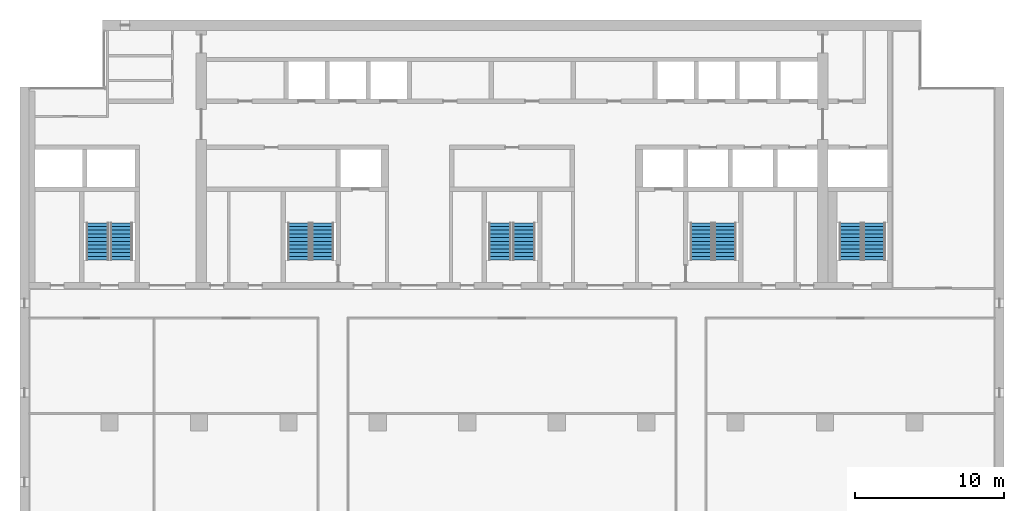
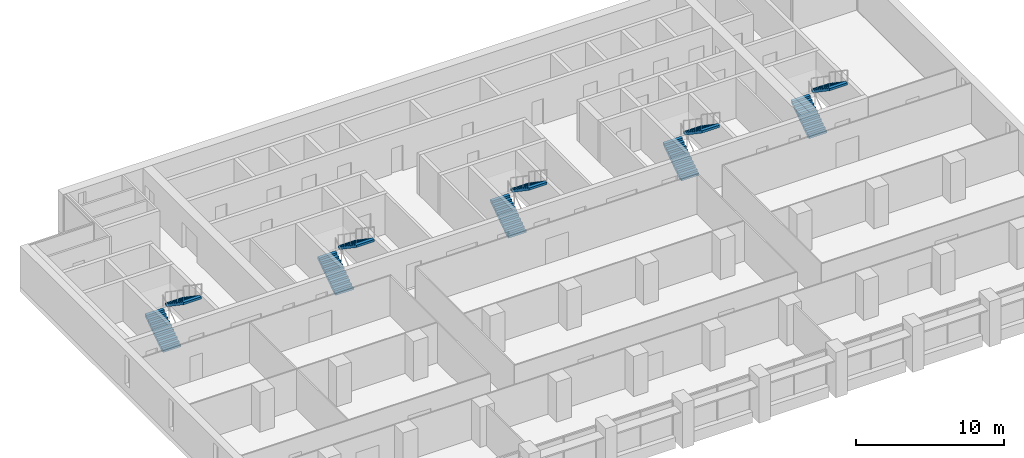
# One storey, part 13 of 16: 10 stair flights, 5 elements without a shape of their own.
"""IFC4 building model written with IfcOpenShell, lengths in metres."""

from ifc_helpers import new_model, si_unit, direction, frame, origin, place, context, subcontext, project, spatial, polyline, outline, extrude, material, type_object, element, aggregate, save


model = new_model("IFC4")

# Units and contexts
model_context = context("Model", 3, precision=1e-05, world=origin(), true_north=direction((0.0, 1.0)))
body_context = subcontext(model_context, "Body", "Model", "MODEL_VIEW")
ifc_project = project(units=[si_unit("LENGTHUNIT", "METRE"), si_unit("AREAUNIT", "SQUARE_METRE"), si_unit("VOLUMEUNIT", "CUBIC_METRE"), si_unit("PLANEANGLEUNIT", "RADIAN"), si_unit("MASSUNIT", "GRAM", prefix="KILO")], contexts=[model_context])

# Site, building, storey
site_placement = place(None, origin())
site = spatial("IfcSite", under=ifc_project, at=site_placement, CompositionType="ELEMENT")
building_placement = place(site_placement, origin())
building = spatial("IfcBuilding", under=site, at=building_placement, Name="Calvaro Tower", CompositionType="ELEMENT")
storey_placement = place(building_placement, frame((0.0, 0.0, 178.0)))
storey = spatial("IfcBuildingStorey", under=building, at=storey_placement, Name="L44", CompositionType="ELEMENT", Elevation=178.0)

# Stair, stair flights
ifc_material_1 = material(Name="Concrete C40/50", Category="concrete")
stair_type = type_object("IfcStairType", Name="Exit stair 1400 2 flights", PredefinedType="HALF_TURN_STAIR", material=ifc_material_1)
stair_1_placement = place(storey_placement, origin())
stair_1 = element("IfcStair", 1, at=stair_1_placement, inside=storey, type_object=stair_type, Name="Exit stair S1", PredefinedType="HALF_TURN_STAIR")
ifc_material_2 = material(Name="Concrete C40/50", Category="concrete")
stair_flight_type = type_object("IfcStairFlightType", Name="Stair flight", PredefinedType="STRAIGHT", material=ifc_material_2)
stair_flight_1_placement = place(storey_placement, frame((11.199951171875, 29.89990234375, 0.0), z_axis=(0.0, 0.0, 1.0), x_axis=(0.0, 1.0, 0.0)))
stair_flight_1 = element("IfcStairFlight", 2, at=stair_flight_1_placement, type_object=stair_flight_type, Name="Exit stair 1, flight 1", NumberOfRisers=11, NumberOfTreads=10, PredefinedType="STRAIGHT", RiserHeight=0.170454545, TreadLength=0.25, context=body_context, shape_type="SweptSolid", body=[
    extrude(outline(polyline([(0.0, 0.0), (0.0, 0.17041015625), (0.25, 0.17041015625), (0.25, 0.3408203125), (0.5, 0.3408203125), (0.5, 0.511474609375), (0.75, 0.511474609375), (0.75, 0.681884765625), (1.0, 0.681884765625), (1.0, 0.852294921875), (1.25, 0.852294921875), (1.25, 1.022705078125), (1.5, 1.022705078125), (1.5, 1.193115234375), (1.75, 1.193115234375), (1.75, 1.363525390625), (2.0, 1.363525390625), (2.0, 1.5341796875), (2.25, 1.5341796875), (2.25, 1.70458984375), (2.5, 1.70458984375), (2.5, 1.875), (2.5, 1.523193359375), (0.26611328125, 0.0), (0.0, 0.0)])), frame((0.0, 0.699951171875, 0.0), z_axis=(0.0, -1.0, 0.0), x_axis=(1.0, 0.0, 0.0)), (0.0, 0.0, 1.0), 1.39990234375),
])
stair_flight_2_placement = place(storey_placement, frame((12.800048828125, 32.39990234375, 1.875), z_axis=(0.0, 0.0, 1.0), x_axis=(0.0, -1.0, 0.0)))
stair_flight_2 = element("IfcStairFlight", 3, at=stair_flight_2_placement, type_object=stair_flight_type, Name="Exit stair 1, flight 2", NumberOfRisers=11, NumberOfTreads=10, PredefinedType="STRAIGHT", RiserHeight=0.170454545, TreadLength=0.25, context=body_context, shape_type="SweptSolid", body=[
    extrude(outline(polyline([(0.0, 0.0), (0.0, 0.17041015625), (0.25, 0.17041015625), (0.25, 0.3408203125), (0.5, 0.3408203125), (0.5, 0.511474609375), (0.75, 0.511474609375), (0.75, 0.681884765625), (1.0, 0.681884765625), (1.0, 0.852294921875), (1.25, 0.852294921875), (1.25, 1.022705078125), (1.5, 1.022705078125), (1.5, 1.193115234375), (1.75, 1.193115234375), (1.75, 1.363525390625), (2.0, 1.363525390625), (2.0, 1.5341796875), (2.25, 1.5341796875), (2.25, 1.70458984375), (2.5, 1.70458984375), (2.5, 1.875), (2.5, 1.523193359375), (0.26611328125, 0.0), (0.0, 0.0)])), frame((0.0, 0.699951171875, 0.0), z_axis=(0.0, -1.0, 0.0), x_axis=(1.0, 0.0, 0.0)), (0.0, 0.0, 1.0), 1.39990234375),
])
aggregate(stair_1, [stair_flight_1, stair_flight_2])

stair_2_placement = place(storey_placement, origin())
stair_2 = element("IfcStair", 4, at=stair_2_placement, inside=storey, type_object=stair_type, Name="Exit stair S2", PredefinedType="HALF_TURN_STAIR")
stair_flight_3_placement = place(storey_placement, frame((24.699951171875, 29.89990234375, 0.0), z_axis=(0.0, 0.0, 1.0), x_axis=(0.0, 1.0, 0.0)))
stair_flight_3 = element("IfcStairFlight", 5, at=stair_flight_3_placement, type_object=stair_flight_type, Name="Exit stair 2, flight 1", NumberOfRisers=11, NumberOfTreads=10, PredefinedType="STRAIGHT", RiserHeight=0.170454545, TreadLength=0.25, context=body_context, shape_type="SweptSolid", body=[
    extrude(outline(polyline([(0.0, 0.0), (0.0, 0.17041015625), (0.25, 0.17041015625), (0.25, 0.3408203125), (0.5, 0.3408203125), (0.5, 0.511474609375), (0.75, 0.511474609375), (0.75, 0.681884765625), (1.0, 0.681884765625), (1.0, 0.852294921875), (1.25, 0.852294921875), (1.25, 1.022705078125), (1.5, 1.022705078125), (1.5, 1.193115234375), (1.75, 1.193115234375), (1.75, 1.363525390625), (2.0, 1.363525390625), (2.0, 1.5341796875), (2.25, 1.5341796875), (2.25, 1.70458984375), (2.5, 1.70458984375), (2.5, 1.875), (2.5, 1.523193359375), (0.26611328125, 0.0), (0.0, 0.0)])), frame((0.0, 0.699951171875, 0.0), z_axis=(0.0, -1.0, 0.0), x_axis=(1.0, 0.0, 0.0)), (0.0, 0.0, 1.0), 1.39990234375),
])
stair_flight_4_placement = place(storey_placement, frame((26.300048828125, 32.39990234375, 1.875), z_axis=(0.0, 0.0, 1.0), x_axis=(0.0, -1.0, 0.0)))
stair_flight_4 = element("IfcStairFlight", 6, at=stair_flight_4_placement, type_object=stair_flight_type, Name="Exit stair 2, flight 2", NumberOfRisers=11, NumberOfTreads=10, PredefinedType="STRAIGHT", RiserHeight=0.170454545, TreadLength=0.25, context=body_context, shape_type="SweptSolid", body=[
    extrude(outline(polyline([(0.0, 0.0), (0.0, 0.17041015625), (0.25, 0.17041015625), (0.25, 0.3408203125), (0.5, 0.3408203125), (0.5, 0.511474609375), (0.75, 0.511474609375), (0.75, 0.681884765625), (1.0, 0.681884765625), (1.0, 0.852294921875), (1.25, 0.852294921875), (1.25, 1.022705078125), (1.5, 1.022705078125), (1.5, 1.193115234375), (1.75, 1.193115234375), (1.75, 1.363525390625), (2.0, 1.363525390625), (2.0, 1.5341796875), (2.25, 1.5341796875), (2.25, 1.70458984375), (2.5, 1.70458984375), (2.5, 1.875), (2.5, 1.523193359375), (0.26611328125, 0.0), (0.0, 0.0)])), frame((0.0, 0.699951171875, 0.0), z_axis=(0.0, -1.0, 0.0), x_axis=(1.0, 0.0, 0.0)), (0.0, 0.0, 1.0), 1.39990234375),
])
aggregate(stair_2, [stair_flight_3, stair_flight_4])

stair_3_placement = place(storey_placement, origin())
stair_3 = element("IfcStair", 7, at=stair_3_placement, inside=storey, type_object=stair_type, Name="Exit stair S3", PredefinedType="HALF_TURN_STAIR")
stair_flight_5_placement = place(storey_placement, frame((38.199951171875, 29.89990234375, 0.0), z_axis=(0.0, 0.0, 1.0), x_axis=(0.0, 1.0, 0.0)))
stair_flight_5 = element("IfcStairFlight", 8, at=stair_flight_5_placement, type_object=stair_flight_type, Name="Exit stair 3, flight 1", NumberOfRisers=11, NumberOfTreads=10, PredefinedType="STRAIGHT", RiserHeight=0.170454545, TreadLength=0.25, context=body_context, shape_type="SweptSolid", body=[
    extrude(outline(polyline([(0.0, 0.0), (0.0, 0.17041015625), (0.25, 0.17041015625), (0.25, 0.3408203125), (0.5, 0.3408203125), (0.5, 0.511474609375), (0.75, 0.511474609375), (0.75, 0.681884765625), (1.0, 0.681884765625), (1.0, 0.852294921875), (1.25, 0.852294921875), (1.25, 1.022705078125), (1.5, 1.022705078125), (1.5, 1.193115234375), (1.75, 1.193115234375), (1.75, 1.363525390625), (2.0, 1.363525390625), (2.0, 1.5341796875), (2.25, 1.5341796875), (2.25, 1.70458984375), (2.5, 1.70458984375), (2.5, 1.875), (2.5, 1.523193359375), (0.26611328125, 0.0), (0.0, 0.0)])), frame((0.0, 0.699951171875, 0.0), z_axis=(0.0, -1.0, 0.0), x_axis=(1.0, 0.0, 0.0)), (0.0, 0.0, 1.0), 1.39990234375),
])
stair_flight_6_placement = place(storey_placement, frame((39.800048828125, 32.39990234375, 1.875), z_axis=(0.0, 0.0, 1.0), x_axis=(0.0, -1.0, 0.0)))
stair_flight_6 = element("IfcStairFlight", 9, at=stair_flight_6_placement, type_object=stair_flight_type, Name="Exit stair 3, flight 2", NumberOfRisers=11, NumberOfTreads=10, PredefinedType="STRAIGHT", RiserHeight=0.170454545, TreadLength=0.25, context=body_context, shape_type="SweptSolid", body=[
    extrude(outline(polyline([(0.0, 0.0), (0.0, 0.17041015625), (0.25, 0.17041015625), (0.25, 0.3408203125), (0.5, 0.3408203125), (0.5, 0.511474609375), (0.75, 0.511474609375), (0.75, 0.681884765625), (1.0, 0.681884765625), (1.0, 0.852294921875), (1.25, 0.852294921875), (1.25, 1.022705078125), (1.5, 1.022705078125), (1.5, 1.193115234375), (1.75, 1.193115234375), (1.75, 1.363525390625), (2.0, 1.363525390625), (2.0, 1.5341796875), (2.25, 1.5341796875), (2.25, 1.70458984375), (2.5, 1.70458984375), (2.5, 1.875), (2.5, 1.523193359375), (0.26611328125, 0.0), (0.0, 0.0)])), frame((0.0, 0.699951171875, 0.0), z_axis=(0.0, -1.0, 0.0), x_axis=(1.0, 0.0, 0.0)), (0.0, 0.0, 1.0), 1.39990234375),
])
aggregate(stair_3, [stair_flight_5, stair_flight_6])

stair_4_placement = place(storey_placement, origin())
stair_4 = element("IfcStair", 10, at=stair_4_placement, inside=storey, type_object=stair_type, Name="Exit stair S4", PredefinedType="HALF_TURN_STAIR")
stair_flight_7_placement = place(storey_placement, frame((51.699951171875, 29.89990234375, 0.0), z_axis=(0.0, 0.0, 1.0), x_axis=(0.0, 1.0, 0.0)))
stair_flight_7 = element("IfcStairFlight", 11, at=stair_flight_7_placement, type_object=stair_flight_type, Name="Exit stair 4, flight 1", NumberOfRisers=11, NumberOfTreads=10, PredefinedType="STRAIGHT", RiserHeight=0.170454545, TreadLength=0.25, context=body_context, shape_type="SweptSolid", body=[
    extrude(outline(polyline([(0.0, 0.0), (0.0, 0.17041015625), (0.25, 0.17041015625), (0.25, 0.3408203125), (0.5, 0.3408203125), (0.5, 0.511474609375), (0.75, 0.511474609375), (0.75, 0.681884765625), (1.0, 0.681884765625), (1.0, 0.852294921875), (1.25, 0.852294921875), (1.25, 1.022705078125), (1.5, 1.022705078125), (1.5, 1.193115234375), (1.75, 1.193115234375), (1.75, 1.363525390625), (2.0, 1.363525390625), (2.0, 1.5341796875), (2.25, 1.5341796875), (2.25, 1.70458984375), (2.5, 1.70458984375), (2.5, 1.875), (2.5, 1.523193359375), (0.26611328125, 0.0), (0.0, 0.0)])), frame((0.0, 0.699951171875, 0.0), z_axis=(0.0, -1.0, 0.0), x_axis=(1.0, 0.0, 0.0)), (0.0, 0.0, 1.0), 1.39990234375),
])
stair_flight_8_placement = place(storey_placement, frame((53.300048828125, 32.39990234375, 1.875), z_axis=(0.0, 0.0, 1.0), x_axis=(0.0, -1.0, 0.0)))
stair_flight_8 = element("IfcStairFlight", 12, at=stair_flight_8_placement, type_object=stair_flight_type, Name="Exit stair 4, flight 2", NumberOfRisers=11, NumberOfTreads=10, PredefinedType="STRAIGHT", RiserHeight=0.170454545, TreadLength=0.25, context=body_context, shape_type="SweptSolid", body=[
    extrude(outline(polyline([(0.0, 0.0), (0.0, 0.17041015625), (0.25, 0.17041015625), (0.25, 0.3408203125), (0.5, 0.3408203125), (0.5, 0.511474609375), (0.75, 0.511474609375), (0.75, 0.681884765625), (1.0, 0.681884765625), (1.0, 0.852294921875), (1.25, 0.852294921875), (1.25, 1.022705078125), (1.5, 1.022705078125), (1.5, 1.193115234375), (1.75, 1.193115234375), (1.75, 1.363525390625), (2.0, 1.363525390625), (2.0, 1.5341796875), (2.25, 1.5341796875), (2.25, 1.70458984375), (2.5, 1.70458984375), (2.5, 1.875), (2.5, 1.523193359375), (0.26611328125, 0.0), (0.0, 0.0)])), frame((0.0, 0.699951171875, 0.0), z_axis=(0.0, -1.0, 0.0), x_axis=(1.0, 0.0, 0.0)), (0.0, 0.0, 1.0), 1.39990234375),
])
aggregate(stair_4, [stair_flight_7, stair_flight_8])

stair_5_placement = place(storey_placement, origin())
stair_5 = element("IfcStair", 13, at=stair_5_placement, inside=storey, type_object=stair_type, Name="Exit stair S5", PredefinedType="HALF_TURN_STAIR")
stair_flight_9_placement = place(storey_placement, frame((61.699951171875, 29.89990234375, 0.0), z_axis=(0.0, 0.0, 1.0), x_axis=(0.0, 1.0, 0.0)))
stair_flight_9 = element("IfcStairFlight", 14, at=stair_flight_9_placement, type_object=stair_flight_type, Name="Exit stair 5, flight 1", NumberOfRisers=11, NumberOfTreads=10, PredefinedType="STRAIGHT", RiserHeight=0.170454545, TreadLength=0.25, context=body_context, shape_type="SweptSolid", body=[
    extrude(outline(polyline([(0.0, 0.0), (0.0, 0.17041015625), (0.25, 0.17041015625), (0.25, 0.3408203125), (0.5, 0.3408203125), (0.5, 0.511474609375), (0.75, 0.511474609375), (0.75, 0.681884765625), (1.0, 0.681884765625), (1.0, 0.852294921875), (1.25, 0.852294921875), (1.25, 1.022705078125), (1.5, 1.022705078125), (1.5, 1.193115234375), (1.75, 1.193115234375), (1.75, 1.363525390625), (2.0, 1.363525390625), (2.0, 1.5341796875), (2.25, 1.5341796875), (2.25, 1.70458984375), (2.5, 1.70458984375), (2.5, 1.875), (2.5, 1.523193359375), (0.26611328125, 0.0), (0.0, 0.0)])), frame((0.0, 0.699951171875, 0.0), z_axis=(0.0, -1.0, 0.0), x_axis=(1.0, 0.0, 0.0)), (0.0, 0.0, 1.0), 1.39990234375),
])
stair_flight_10_placement = place(storey_placement, frame((63.300048828125, 32.39990234375, 1.875), z_axis=(0.0, 0.0, 1.0), x_axis=(0.0, -1.0, 0.0)))
stair_flight_10 = element("IfcStairFlight", 15, at=stair_flight_10_placement, type_object=stair_flight_type, Name="Exit stair 5, flight 2", NumberOfRisers=11, NumberOfTreads=10, PredefinedType="STRAIGHT", RiserHeight=0.170454545, TreadLength=0.25, context=body_context, shape_type="SweptSolid", body=[
    extrude(outline(polyline([(0.0, 0.0), (0.0, 0.17041015625), (0.25, 0.17041015625), (0.25, 0.3408203125), (0.5, 0.3408203125), (0.5, 0.511474609375), (0.75, 0.511474609375), (0.75, 0.681884765625), (1.0, 0.681884765625), (1.0, 0.852294921875), (1.25, 0.852294921875), (1.25, 1.022705078125), (1.5, 1.022705078125), (1.5, 1.193115234375), (1.75, 1.193115234375), (1.75, 1.363525390625), (2.0, 1.363525390625), (2.0, 1.5341796875), (2.25, 1.5341796875), (2.25, 1.70458984375), (2.5, 1.70458984375), (2.5, 1.875), (2.5, 1.523193359375), (0.26611328125, 0.0), (0.0, 0.0)])), frame((0.0, 0.699951171875, 0.0), z_axis=(0.0, -1.0, 0.0), x_axis=(1.0, 0.0, 0.0)), (0.0, 0.0, 1.0), 1.39990234375),
])
aggregate(stair_5, [stair_flight_9, stair_flight_10])

save(model, "model.ifc")
